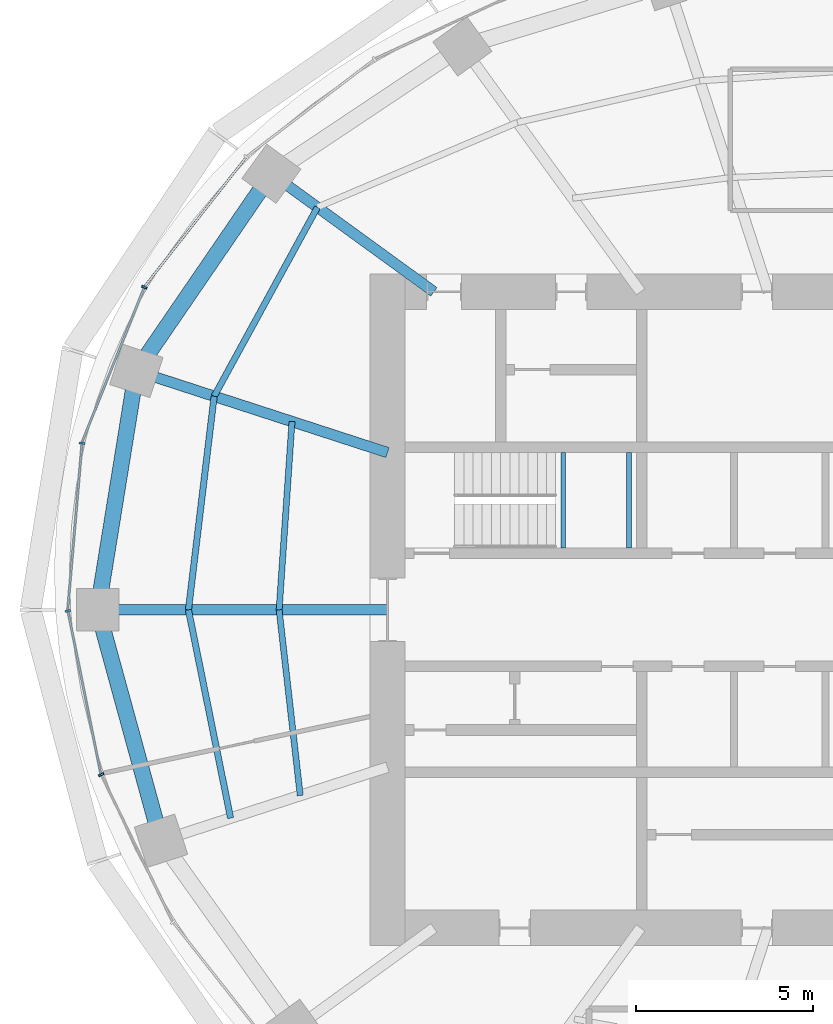
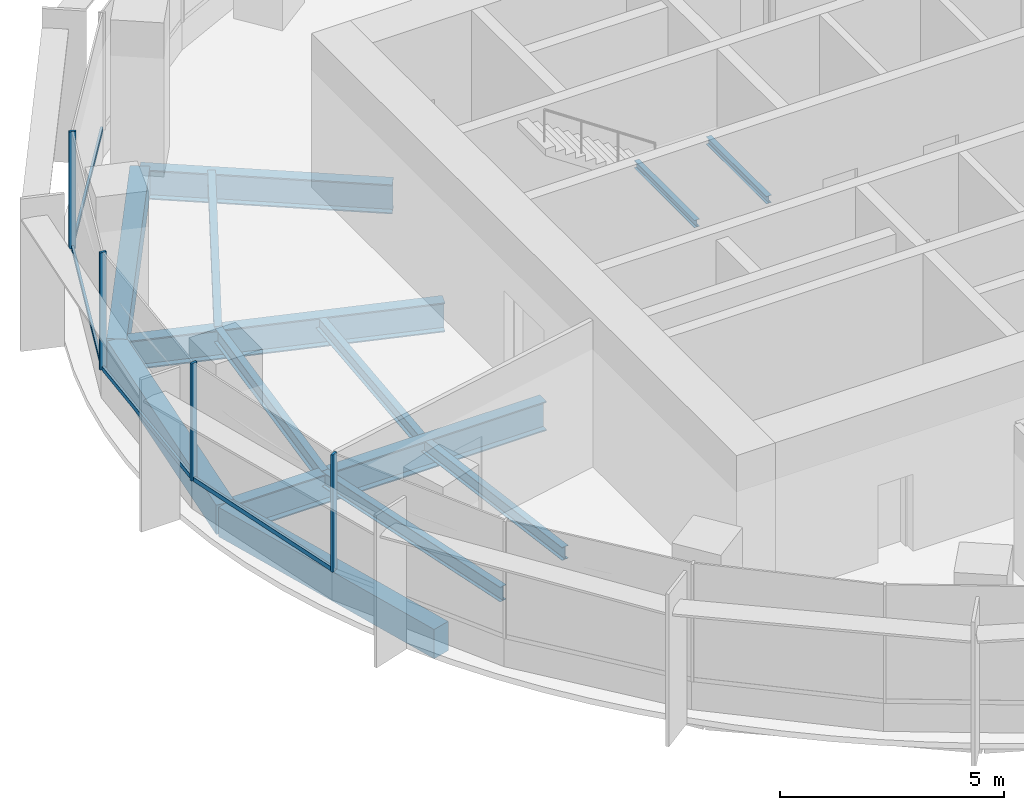
# One storey, part 4 of 13: 13 beams, 8 members, 2 elements without a shape of their own.
"""IFC4 building model written with IfcOpenShell, lengths in metres."""

from ifc_helpers import new_model, si_unit, direction, frame, origin, origin_2d, place, context, subcontext, project, spatial, rectangle, i_section, extrude, material, material_profile, profile_set, type_object, element, aggregate, save


model = new_model("IFC4")

# Units and contexts
model_context = context("Model", 3, precision=1e-05, world=origin(), true_north=direction((0.0, 1.0)))
body_context = subcontext(model_context, "Body", "Model", "MODEL_VIEW")
ifc_project = project(units=[si_unit("LENGTHUNIT", "METRE"), si_unit("AREAUNIT", "SQUARE_METRE"), si_unit("VOLUMEUNIT", "CUBIC_METRE"), si_unit("PLANEANGLEUNIT", "RADIAN"), si_unit("MASSUNIT", "GRAM", prefix="KILO")], contexts=[model_context])

# Site, building, storey
site_placement = place(None, origin())
site = spatial("IfcSite", under=ifc_project, at=site_placement, CompositionType="ELEMENT")
building_placement = place(site_placement, origin())
building = spatial("IfcBuilding", under=site, at=building_placement, Name="Marramba Exchange Tower", CompositionType="ELEMENT")
storey_placement = place(building_placement, frame((0.0, 0.0, 272.800048828125)))
storey = spatial("IfcBuildingStorey", under=building, at=storey_placement, Name="L66", CompositionType="ELEMENT", Elevation=272.800048828125)

# Curtain wall, members
ifc_material_1 = material(Name="Aluminium framing, bronze anodised", Category="aluminium")
curtain_wall_type = type_object("IfcCurtainWallType", Name="Executive floor ribbon curtain wall", PredefinedType="USERDEFINED", material=ifc_material_1)
curtain_wall_1_placement = place(storey_placement, origin())
curtain_wall_1 = element("IfcCurtainWall", 1, at=curtain_wall_1_placement, inside=storey, type_object=curtain_wall_type, Name="Curtain wall CW5 L66 F11-F15", ObjectType="RIBBON CURTAIN WALL", PredefinedType="USERDEFINED")
ifc_material_2 = material(Name="Aluminium mullion, bronze anodised", Category="aluminium")
ifc_material_profile_1 = material_profile(ifc_material_2, rectangle(XDim=0.159912109375, YDim=0.06005859375, at=origin_2d()), Name="CW5 mullion 60x160")
ifc_profile_set_1 = profile_set([ifc_material_profile_1], Name="Aluminium mullion, bronze anodised")
member_type_1 = type_object("IfcMemberType", Name="Executive floor ribbon curtain wall mullion", PredefinedType="MULLION", material=ifc_profile_set_1)
member_1_placement = place(storey_placement, frame((-20.580810546875, 9.13037109375, 0.800048828125), z_axis=(0.0, 0.0, 1.0), x_axis=(0.927838139977, -0.372983090774, 0.0)))
member_1 = element("IfcMember", 2, at=member_1_placement, type_object=member_type_1, Name="CW5 mullion 1", PredefinedType="MULLION", context=body_context, shape_type="SweptSolid", body=[
    extrude(rectangle(XDim=0.159912109375, YDim=0.06005859375, at=origin_2d()), origin(), (0.0, 0.0, 1.0), 3.199951171875),
])
member_2_placement = place(storey_placement, frame((-22.3447265625, 4.718994140625, 0.800048828125), z_axis=(0.0, 0.0, 1.0), x_axis=(0.996331816632, -0.085574009881, 0.0)))
member_2 = element("IfcMember", 3, at=member_2_placement, type_object=member_type_1, Name="CW5 mullion 1", PredefinedType="MULLION", context=body_context, shape_type="SweptSolid", body=[
    extrude(rectangle(XDim=0.159912109375, YDim=0.06005859375, at=origin_2d()), origin(), (0.0, 0.0, 1.0), 3.199951171875),
])

curtain_wall_2_placement = place(storey_placement, origin())
curtain_wall_2 = element("IfcCurtainWall", 4, at=curtain_wall_2_placement, inside=storey, type_object=curtain_wall_type, Name="Curtain wall CW5 L66 F16-F20", ObjectType="RIBBON CURTAIN WALL", PredefinedType="USERDEFINED")
member_3_placement = place(storey_placement, frame((-22.744140625, -0.029296875, 0.800048828125), z_axis=(0.0, 0.0, 1.0), x_axis=(0.980268514856, 0.19767053089, 0.0)))
member_3 = element("IfcMember", 5, at=member_3_placement, type_object=member_type_1, Name="CW5 mullion 1", PredefinedType="MULLION", context=body_context, shape_type="SweptSolid", body=[
    extrude(rectangle(XDim=0.159912109375, YDim=0.06005859375, at=origin_2d()), origin(), (0.0, 0.0, 1.0), 3.199951171875),
])
member_4_placement = place(storey_placement, frame((-21.8017578125, -4.663818359375, 0.800048828125), z_axis=(0.0, 0.0, 1.0), x_axis=(0.89969718031, 0.436514585945, 0.0)))
member_4 = element("IfcMember", 6, at=member_4_placement, type_object=member_type_1, Name="CW5 mullion 1", PredefinedType="MULLION", context=body_context, shape_type="SweptSolid", body=[
    extrude(rectangle(XDim=0.159912109375, YDim=0.06005859375, at=origin_2d()), origin(), (0.0, 0.0, 1.0), 3.199951171875),
])

# Member
ifc_material_3 = material(Name="Aluminium transom, bronze anodised", Category="aluminium")
ifc_material_profile_2 = material_profile(ifc_material_3, rectangle(XDim=0.06005859375, YDim=0.1201171875, at=origin_2d()), Name="CW5 transom 60x120")
ifc_profile_set_2 = profile_set([ifc_material_profile_2], Name="Aluminium transom, bronze anodised")
member_type_2 = type_object("IfcMemberType", Name="Executive floor ribbon curtain wall transom", PredefinedType="USERDEFINED", material=ifc_profile_set_2)
member_5_placement = place(storey_placement, frame((-17.71044921875, 12.793212890625, 0.829833984375), z_axis=(-0.618229471001, -0.785997659784, 0.0), x_axis=(0.785997659784, -0.618229471001, 0.0)))
member_5 = element("IfcMember", 7, at=member_5_placement, type_object=member_type_2, Name="CW5 sill transom", ObjectType="TRANSOM", PredefinedType="USERDEFINED", context=body_context, shape_type="SweptSolid", body=[
    extrude(rectangle(XDim=0.06005859375, YDim=0.1201171875, at=origin_2d()), origin(), (0.0, 0.0, 1.0), 4.624755859375),
])

member_6_placement = place(storey_placement, frame((-20.592041015625, 9.1025390625, 0.829833984375), z_axis=(-0.372969057001, -0.927843781312, 0.0), x_axis=(0.927843781312, -0.372969057001, 0.0)))
member_6 = element("IfcMember", 8, at=member_6_placement, type_object=member_type_2, Name="CW5 sill transom", ObjectType="TRANSOM", PredefinedType="USERDEFINED", context=body_context, shape_type="SweptSolid", body=[
    extrude(rectangle(XDim=0.06005859375, YDim=0.1201171875, at=origin_2d()), origin(), (0.0, 0.0, 1.0), 4.692138671875),
])

member_7_placement = place(storey_placement, frame((-22.34716796875, 4.689208984375, 0.829833984375), z_axis=(-0.085590935521, -0.99633036276, 0.0), x_axis=(0.99633036276, -0.085590935521, 0.0)))
member_7 = element("IfcMember", 9, at=member_7_placement, type_object=member_type_2, Name="CW5 sill transom", ObjectType="TRANSOM", PredefinedType="USERDEFINED", context=body_context, shape_type="SweptSolid", body=[
    extrude(rectangle(XDim=0.06005859375, YDim=0.1201171875, at=origin_2d()), origin(), (0.0, 0.0, 1.0), 4.70654296875),
])

aggregate(curtain_wall_1, [member_5, member_1, member_6, member_2, member_7])

member_8_placement = place(storey_placement, frame((-22.738037109375, -0.058837890625, 0.829833984375), z_axis=(0.197654002556, -0.980271847639, 0.0), x_axis=(0.980271847639, 0.197654002556, 0.0)))
member_8 = element("IfcMember", 10, at=member_8_placement, type_object=member_type_2, Name="CW5 sill transom", ObjectType="TRANSOM", PredefinedType="USERDEFINED", context=body_context, shape_type="SweptSolid", body=[
    extrude(rectangle(XDim=0.06005859375, YDim=0.1201171875, at=origin_2d()), origin(), (0.0, 0.0, 1.0), 4.670166015625),
])

aggregate(curtain_wall_2, [member_3, member_8, member_4])

# Beams
ifc_material_4 = material(Name="Steel AS/NZS 3679.1 grade 300", Category="steel")
ifc_material_profile_3 = material_profile(ifc_material_4, i_section(OverallWidth=0.1708984375, OverallDepth=0.35595703125, WebThickness=0.00732421875, FlangeThickness=0.011474609375, FilletRadius=0.011474609375, at=origin_2d()), Name="360UB50.7")
ifc_profile_set_3 = profile_set([ifc_material_profile_3], Name="Steel AS/NZS 3679.1 grade 300")
beam_type_1 = type_object("IfcBeamType", Name="Floor joist 360UB50.7", PredefinedType="JOIST", material=ifc_profile_set_3)
beam_1_placement = place(storey_placement, frame((-16.40283203125, 5.32958984375, -0.338134765625), z_axis=(-0.068096259546, -0.99767875563, 0.0), x_axis=(0.99767875563, -0.068096259546, 0.0)))
element("IfcBeam", 11, at=beam_1_placement, inside=storey, type_object=beam_type_1, Name="Joist L66 bay 10 row 1", PredefinedType="JOIST", context=body_context, shape_type="SweptSolid", body=[
    extrude(i_section(OverallWidth=0.1708984375, OverallDepth=0.35595703125, WebThickness=0.00732421875, FlangeThickness=0.011474609375, FilletRadius=0.011474609375, at=origin_2d()), origin(), (0.0, 0.0, 1.0), 5.342041015625),
])
beam_2_placement = place(storey_placement, frame((-16.7666015625, 0.0, -0.338134765625), z_axis=(0.112888968594, -0.993607609054, 0.0), x_axis=(0.993607609054, 0.112888968594, 0.0)))
element("IfcBeam", 12, at=beam_2_placement, inside=storey, type_object=beam_type_1, Name="Joist L66 bay 11 row 1", PredefinedType="JOIST", context=body_context, shape_type="SweptSolid", body=[
    extrude(i_section(OverallWidth=0.1708984375, OverallDepth=0.35595703125, WebThickness=0.00732421875, FlangeThickness=0.011474609375, FilletRadius=0.011474609375, at=origin_2d()), origin(), (0.0, 0.0, 1.0), 5.28759765625),
])
ifc_material_profile_4 = material_profile(ifc_material_4, i_section(OverallWidth=0.177978515625, OverallDepth=0.403076171875, WebThickness=0.007568359375, FlangeThickness=0.010986328125, FilletRadius=0.011474609375, at=origin_2d()), Name="410UB53.7")
ifc_profile_set_4 = profile_set([ifc_material_profile_4], Name="Steel AS/NZS 3679.1 grade 300")
beam_type_2 = type_object("IfcBeamType", Name="Floor joist 410UB53.7", PredefinedType="JOIST", material=ifc_profile_set_4)
beam_3_placement = place(storey_placement, frame((-15.682373046875, 11.393798828125, -0.361572265625), z_axis=(-0.479584443791, -0.877495732909, 0.0), x_axis=(0.877495732909, -0.479584443791, 0.0)))
element("IfcBeam", 13, at=beam_3_placement, inside=storey, type_object=beam_type_2, Name="Joist L66 bay 09 row 2", PredefinedType="JOIST", context=body_context, shape_type="SweptSolid", body=[
    extrude(i_section(OverallWidth=0.177978515625, OverallDepth=0.403076171875, WebThickness=0.007568359375, FlangeThickness=0.010986328125, FilletRadius=0.011474609375, at=origin_2d()), origin(), (0.0, 0.0, 1.0), 6.094970703125),
])
beam_4_placement = place(storey_placement, frame((-18.60546875, 6.04541015625, -0.361572265625), z_axis=(-0.119523078538, -0.992831422597, 0.0), x_axis=(0.992831422597, -0.119523078538, 0.0)))
element("IfcBeam", 14, at=beam_4_placement, inside=storey, type_object=beam_type_2, Name="Joist L66 bay 10 row 2", PredefinedType="JOIST", context=body_context, shape_type="SweptSolid", body=[
    extrude(i_section(OverallWidth=0.177978515625, OverallDepth=0.403076171875, WebThickness=0.007568359375, FlangeThickness=0.010986328125, FilletRadius=0.011474609375, at=origin_2d()), origin(), (0.0, 0.0, 1.0), 6.089111328125),
])
beam_5_placement = place(storey_placement, frame((-19.333251953125, 0.0, -0.361572265625), z_axis=(0.198489047047, -0.980103105904, 0.0), x_axis=(0.980103105904, 0.198489047047, 0.0)))
element("IfcBeam", 15, at=beam_5_placement, inside=storey, type_object=beam_type_2, Name="Joist L66 bay 11 row 2", PredefinedType="JOIST", context=body_context, shape_type="SweptSolid", body=[
    extrude(i_section(OverallWidth=0.177978515625, OverallDepth=0.403076171875, WebThickness=0.007568359375, FlangeThickness=0.010986328125, FilletRadius=0.011474609375, at=origin_2d()), origin(), (0.0, 0.0, 1.0), 6.013427734375),
])
ifc_material_5 = material(Name="Steel AS/NZS 3679.2 grade 300", Category="steel")
ifc_material_profile_5 = material_profile(ifc_material_5, i_section(OverallWidth=0.300048828125, OverallDepth=0.800048828125, WebThickness=0.013916015625, FlangeThickness=0.031982421875, at=origin_2d()), Name="800WB192")
ifc_profile_set_5 = profile_set([ifc_material_profile_5], Name="Steel AS/NZS 3679.2 grade 300")
beam_type_3 = type_object("IfcBeamType", Name="Radial girder 800WB192", PredefinedType="BEAM", material=ifc_profile_set_5)
beam_6_placement = place(storey_placement, frame((-12.387451171875, 9.0, -0.56005859375), z_axis=(-0.809025746925, 0.587773205252, 0.0), x_axis=(-0.587773205252, -0.809025746925, 0.0)))
element("IfcBeam", 16, at=beam_6_placement, inside=storey, type_object=beam_type_3, Name="Radial girder L66 TC09", PredefinedType="BEAM", context=body_context, shape_type="SweptSolid", body=[
    extrude(i_section(OverallWidth=0.300048828125, OverallDepth=0.800048828125, WebThickness=0.013916015625, FlangeThickness=0.031982421875, at=origin_2d()), origin(), (0.0, 0.0, 1.0), 5.683837890625),
])
beam_7_placement = place(storey_placement, frame((-13.699951171875, 4.451416015625, -0.56005859375), z_axis=(-0.951059990189, 0.309006302624, 0.0), x_axis=(-0.309006302624, -0.951059990189, 0.0)))
element("IfcBeam", 17, at=beam_7_placement, inside=storey, type_object=beam_type_3, Name="Radial girder L66 TC10", PredefinedType="BEAM", context=body_context, shape_type="SweptSolid", body=[
    extrude(i_section(OverallWidth=0.300048828125, OverallDepth=0.800048828125, WebThickness=0.013916015625, FlangeThickness=0.031982421875, at=origin_2d()), origin(), (0.0, 0.0, 1.0), 7.47412109375),
])
beam_8_placement = place(storey_placement, frame((-13.699951171875, 0.0, -0.56005859375), z_axis=(-1.0, 0.0, 0.0), x_axis=(0.0, -1.0, 0.0)))
element("IfcBeam", 18, at=beam_8_placement, inside=storey, type_object=beam_type_3, Name="Radial girder L66 TC11", PredefinedType="BEAM", context=body_context, shape_type="SweptSolid", body=[
    extrude(i_section(OverallWidth=0.300048828125, OverallDepth=0.800048828125, WebThickness=0.013916015625, FlangeThickness=0.031982421875, at=origin_2d()), origin(), (0.0, 0.0, 1.0), 8.199951171875),
])
ifc_material_6 = material(Name="Concrete N50", Category="concrete")
ifc_material_profile_6 = material_profile(ifc_material_6, rectangle(XDim=0.449951171875, YDim=0.800048828125, at=origin_2d()), Name="RC 450x800")
ifc_profile_set_6 = profile_set([ifc_material_profile_6], Name="Concrete N50")
beam_type_4 = type_object("IfcBeamType", Name="Ring beam RC 450x800 N50", PredefinedType="SPANDREL", material=ifc_profile_set_6)
beam_9_placement = place(storey_placement, frame((-16.98583984375, 12.3408203125, -0.56005859375), z_axis=(-0.56516002054, -0.824981303535, 0.0), x_axis=(0.824981303535, -0.56516002054, 0.0)))
element("IfcBeam", 19, at=beam_9_placement, inside=storey, type_object=beam_type_4, Name="Ring beam L66 TC09-TC10", PredefinedType="SPANDREL", context=body_context, shape_type="SweptSolid", body=[
    extrude(rectangle(XDim=0.449951171875, YDim=0.800048828125, at=origin_2d()), origin(), (0.0, 0.0, 1.0), 6.763671875),
])
beam_10_placement = place(storey_placement, frame((-20.808349609375, 6.760986328125, -0.56005859375), z_axis=(-0.159384865399, -0.987216523708, 0.0), x_axis=(0.987216523708, -0.159384865399, 0.0)))
element("IfcBeam", 20, at=beam_10_placement, inside=storey, type_object=beam_type_4, Name="Ring beam L66 TC10-TC11", PredefinedType="SPANDREL", context=body_context, shape_type="SweptSolid", body=[
    extrude(rectangle(XDim=0.449951171875, YDim=0.800048828125, at=origin_2d()), origin(), (0.0, 0.0, 1.0), 6.8486328125),
])
beam_11_placement = place(storey_placement, frame((-21.89990234375, 0.0, -0.56005859375), z_axis=(0.264291166956, -0.964442937176, 0.0), x_axis=(0.964442937176, 0.264291166956, 0.0)))
element("IfcBeam", 21, at=beam_11_placement, inside=storey, type_object=beam_type_4, Name="Ring beam L66 TC11-TC12", PredefinedType="SPANDREL", context=body_context, shape_type="SweptSolid", body=[
    extrude(rectangle(XDim=0.449951171875, YDim=0.800048828125, at=origin_2d()), origin(), (0.0, 0.0, 1.0), 6.77490234375),
])
ifc_material_profile_7 = material_profile(ifc_material_4, i_section(OverallWidth=0.133056640625, OverallDepth=0.202880859375, WebThickness=0.005859375, FlangeThickness=0.0078125, FilletRadius=0.0087890625, at=origin_2d()), Name="200UB25.4")
ifc_profile_set_7 = profile_set([ifc_material_profile_7], Name="Steel AS/NZS 3679.1 grade 300")
beam_type_5 = type_object("IfcBeamType", Name="Stair landing beam 200UB25.4", PredefinedType="BEAM", material=ifc_profile_set_7)
for number, where, z_axis, x_axis, name in (
    (22, (-8.723388671875, 1.75, 1.79833984375), (0.0, 1.0, 0.0), (-1.0, 0.0, 0.0), "Stair landing beam SLB1 ST1 L66 1"),
    (23, (-6.866455078125, 1.75, 1.79833984375), (0.0, 1.0, 0.0), (-1.0, 0.0, 0.0), "Stair landing beam SLB1 ST1 L66 2"),
):
    element("IfcBeam", number, at=place(storey_placement, frame(where, z_axis=z_axis, x_axis=x_axis)), inside=storey, type_object=beam_type_5, Name=name, PredefinedType="BEAM", context=body_context, shape_type="SweptSolid", body=[
        extrude(i_section(OverallWidth=0.133056640625, OverallDepth=0.202880859375, WebThickness=0.005859375, FlangeThickness=0.0078125, FilletRadius=0.0087890625, at=origin_2d()), origin(), (0.0, 0.0, 1.0), 2.699951171875),
    ])

save(model, "model.ifc")
